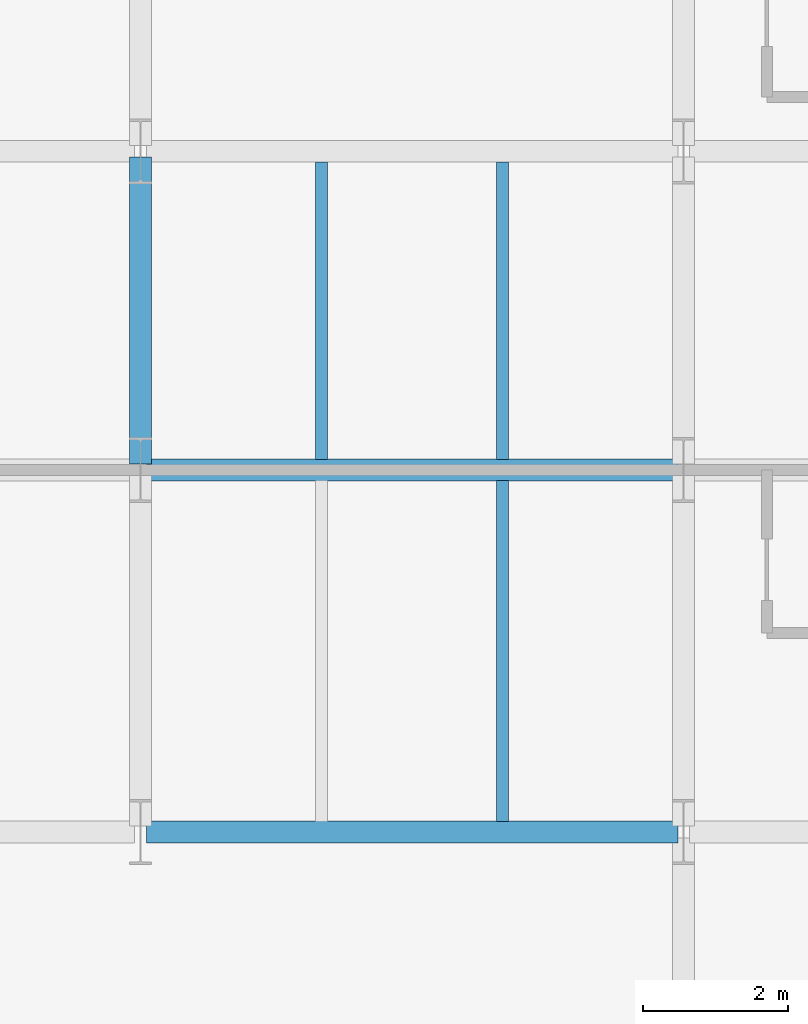
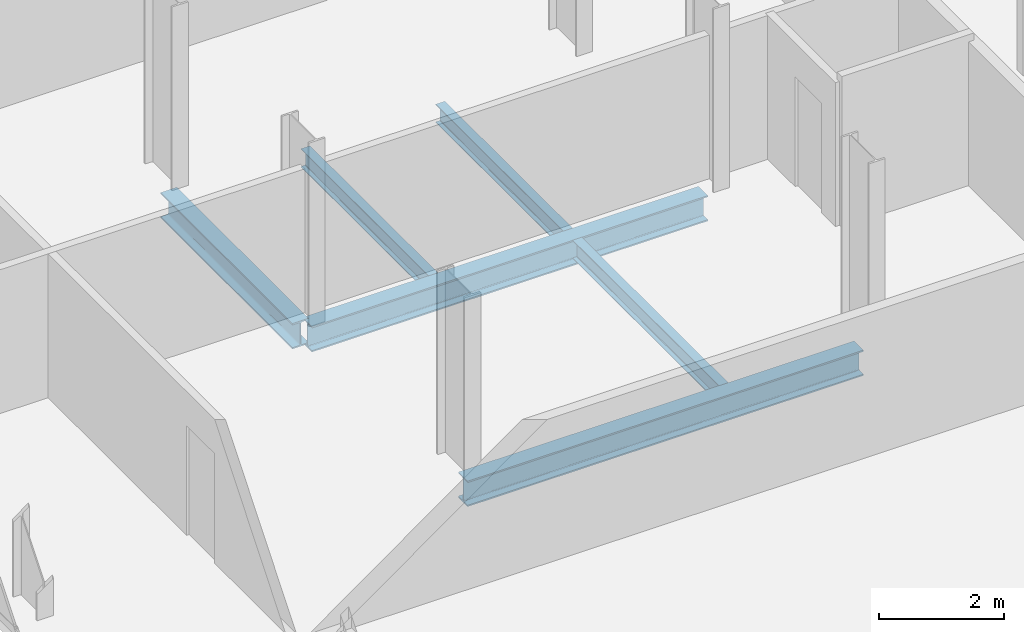
# One storey, part 6 of 33: 6 beams.
"""IFC4 building model written with IfcOpenShell, lengths in metres."""

from ifc_helpers import new_model, si_unit, direction, frame, origin, origin_2d, place, context, subcontext, project, spatial, i_section, extrude, material, material_profile, profile_set, type_object, element, save


model = new_model("IFC4")

# Units and contexts
model_context = context("Model", 3, precision=1e-05, world=origin(), true_north=direction((0.0, 1.0)))
body_context = subcontext(model_context, "Body", "Model", "MODEL_VIEW")
ifc_project = project(units=[si_unit("LENGTHUNIT", "METRE"), si_unit("AREAUNIT", "SQUARE_METRE"), si_unit("VOLUMEUNIT", "CUBIC_METRE"), si_unit("PLANEANGLEUNIT", "RADIAN"), si_unit("MASSUNIT", "GRAM", prefix="KILO")], contexts=[model_context])

# Site, building, storey
site_placement = place(None, origin())
site = spatial("IfcSite", under=ifc_project, at=site_placement, CompositionType="ELEMENT")
building_placement = place(site_placement, origin())
building = spatial("IfcBuilding", under=site, at=building_placement, Name="Catumbela Crestline Tower", CompositionType="ELEMENT")
storey_placement = place(building_placement, frame((0.0, 0.0, 54.6)))
storey = spatial("IfcBuildingStorey", under=building, at=storey_placement, Name="L13", CompositionType="ELEMENT", Elevation=54.6)

# Beams
ifc_material = material(Name="Structural steel S355J2", Category="steel")
ifc_material_profile_1 = material_profile(ifc_material, i_section(OverallWidth=0.3, OverallDepth=0.5, WebThickness=0.0145, FlangeThickness=0.028, FilletRadius=0.027, at=origin_2d()), Name="HEB 500")
ifc_profile_set_1 = profile_set([ifc_material_profile_1], Name="Structural steel S355J2")
beam_type_1 = type_object("IfcBeamType", Name="BG-HEB500", PredefinedType="BEAM", material=ifc_profile_set_1)
for number, where, z_axis, x_axis, name in (
    (1, (8.58, 8.6, -0.51), (1.0, 0.0, 0.0), (0.0, 1.0, 0.0), "L13 Beam BM-L13-WEW49"),
    (2, (8.58, 13.6, -0.51), (1.0, 0.0, 0.0), (0.0, 1.0, 0.0), "L13 Beam BM-L13-WEW52"),
):
    element("IfcBeam", number, at=place(storey_placement, frame(where, z_axis=z_axis, x_axis=x_axis)), inside=storey, type_object=beam_type_1, Name=name, PredefinedType="BEAM", context=body_context, shape_type="SweptSolid", body=[
        extrude(i_section(OverallWidth=0.3, OverallDepth=0.5, WebThickness=0.0145, FlangeThickness=0.028, FilletRadius=0.027, at=origin_2d()), origin(), (0.0, 0.0, 1.0), 7.34),
    ])
beam_1_placement = place(storey_placement, frame((8.5, 13.68, -0.51), z_axis=(0.0, 1.0, 0.0), x_axis=(-1.0, 0.0, 0.0)))
element("IfcBeam", 3, at=beam_1_placement, inside=storey, type_object=beam_type_1, Name="L13 Beam BM-L13-WNS62", PredefinedType="BEAM", context=body_context, shape_type="SweptSolid", body=[
    extrude(i_section(OverallWidth=0.3, OverallDepth=0.5, WebThickness=0.0145, FlangeThickness=0.028, FilletRadius=0.027, at=origin_2d()), origin(), (0.0, 0.0, 1.0), 4.24),
])
ifc_material_profile_2 = material_profile(ifc_material, i_section(OverallWidth=0.17, OverallDepth=0.36, WebThickness=0.008, FlangeThickness=0.0127, FilletRadius=0.018, at=origin_2d()), Name="IPE 360")
ifc_profile_set_2 = profile_set([ifc_material_profile_2], Name="Structural steel S355J2")
beam_type_2 = type_object("IfcBeamType", Name="BJ-IPE360", PredefinedType="JOIST", material=ifc_profile_set_2)
beam_2_placement = place(storey_placement, frame((13.5, 8.747, -0.44), z_axis=(0.0, 1.0, 0.0), x_axis=(-1.0, 0.0, 0.0)))
element("IfcBeam", 4, at=beam_2_placement, inside=storey, type_object=beam_type_2, Name="L13 Joist JS-L13-WG73", PredefinedType="JOIST", context=body_context, shape_type="SweptSolid", body=[
    extrude(i_section(OverallWidth=0.17, OverallDepth=0.36, WebThickness=0.008, FlangeThickness=0.0127, FilletRadius=0.018, at=origin_2d()), origin(), (0.0, 0.0, 1.0), 4.706),
])
for number, where, z_axis, x_axis, name in (
    (5, (11.0, 13.747, -0.44), (0.0, 1.0, 0.0), (-1.0, 0.0, 0.0), "L13 Joist JS-L13-WG78"),
    (6, (13.5, 13.747, -0.44), (0.0, 1.0, 0.0), (-1.0, 0.0, 0.0), "L13 Joist JS-L13-WG79"),
):
    element("IfcBeam", number, at=place(storey_placement, frame(where, z_axis=z_axis, x_axis=x_axis)), inside=storey, type_object=beam_type_2, Name=name, PredefinedType="JOIST", context=body_context, shape_type="SweptSolid", body=[
        extrude(i_section(OverallWidth=0.17, OverallDepth=0.36, WebThickness=0.008, FlangeThickness=0.0127, FilletRadius=0.018, at=origin_2d()), origin(), (0.0, 0.0, 1.0), 4.106),
    ])

save(model, "model.ifc")
